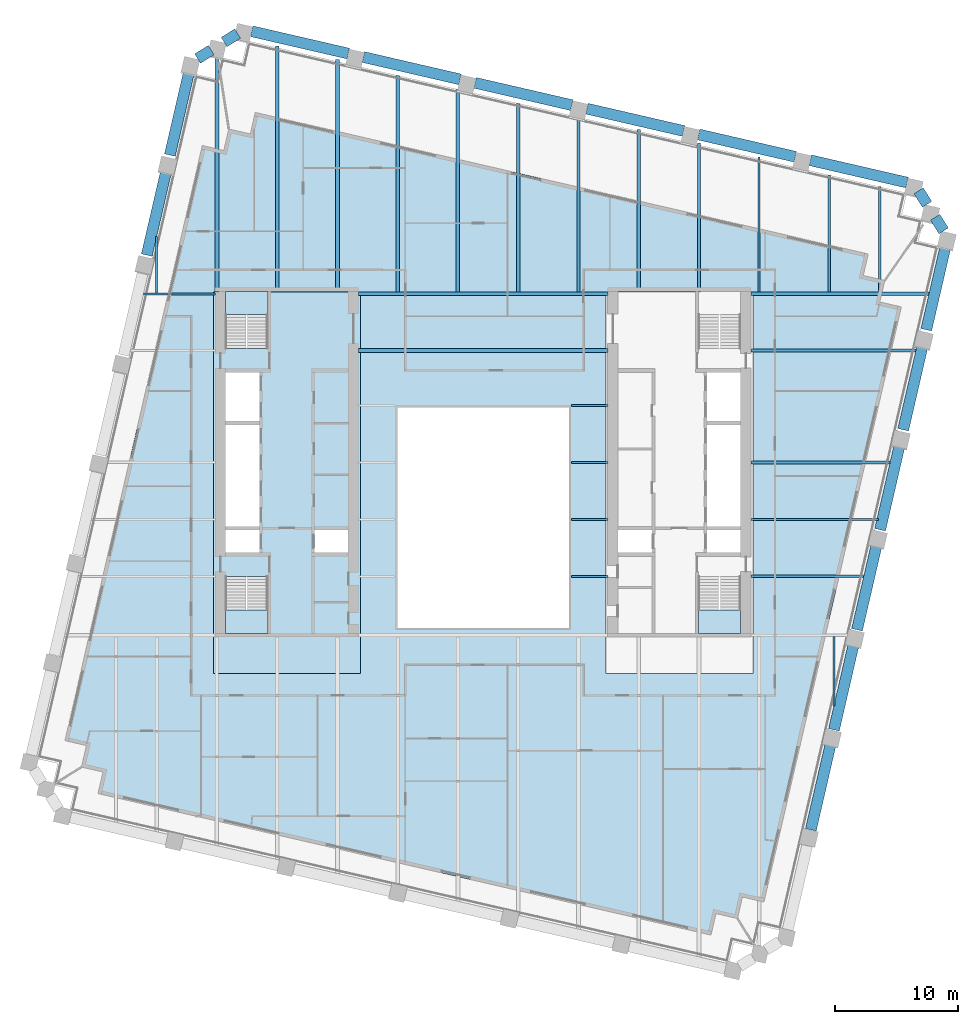
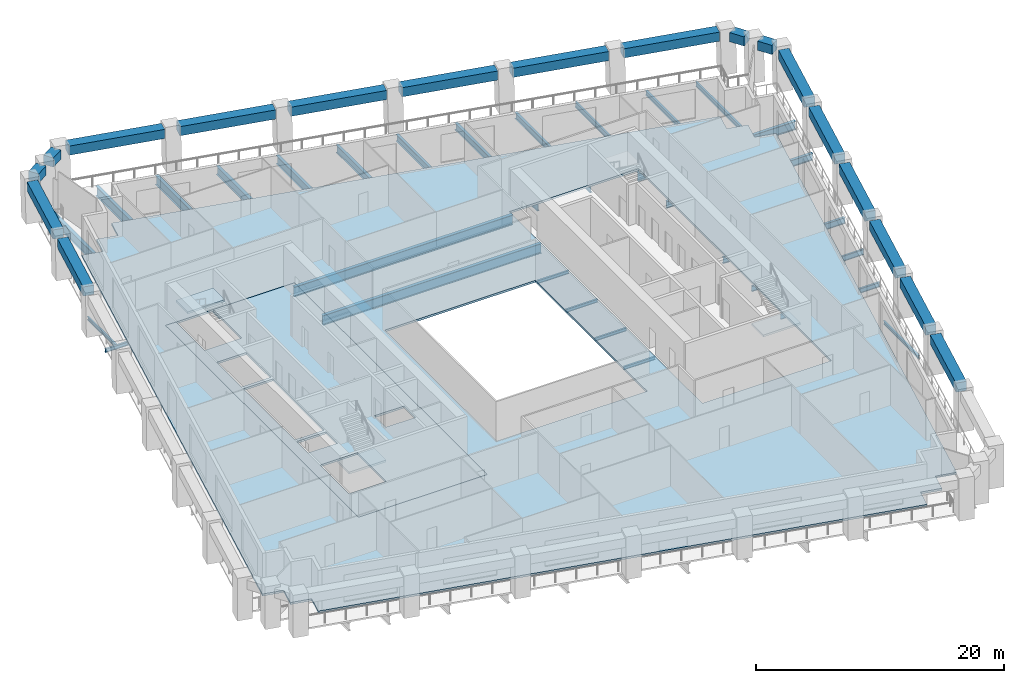
# One storey, part 2 of 12: 44 beams, 5 slabs, 3 elements without a shape of their own.
"""IFC4 building model written with IfcOpenShell, lengths in metres."""

from ifc_helpers import new_model, si_unit, direction, frame, origin, origin_2d, place, context, subcontext, project, spatial, polyline, rectangle, i_section, outline, extrude, material, layer, layer_set, material_profile, profile_set, type_object, element, aggregate, save


model = new_model("IFC4")

# Units and contexts
model_context = context("Model", 3, precision=1e-05, world=origin(), true_north=direction((0.0, 1.0)))
body_context = subcontext(model_context, "Body", "Model", "MODEL_VIEW")
ifc_project = project(units=[si_unit("LENGTHUNIT", "METRE"), si_unit("AREAUNIT", "SQUARE_METRE"), si_unit("VOLUMEUNIT", "CUBIC_METRE"), si_unit("PLANEANGLEUNIT", "RADIAN"), si_unit("MASSUNIT", "GRAM", prefix="KILO")], contexts=[model_context])

# Site, building, storey
site_placement = place(None, origin())
site = spatial("IfcSite", under=ifc_project, at=site_placement, CompositionType="ELEMENT")
building_placement = place(site_placement, origin())
building = spatial("IfcBuilding", under=site, at=building_placement, Name="Ogive Exchange Tower", CompositionType="ELEMENT")
storey_placement = place(building_placement, frame((0.0, 0.0, 139.199951171875)))
storey = spatial("IfcBuildingStorey", under=building, at=storey_placement, Name="L30", CompositionType="ELEMENT", Elevation=139.199951171875)

# Beams
ifc_material_1 = material(Name="Steel ASTM A992 Gr50", Category="steel")
ifc_material_profile_1 = material_profile(ifc_material_1, i_section(OverallWidth=0.300048828125, OverallDepth=0.969970703125, WebThickness=0.01611328125, FlangeThickness=0.02099609375, at=origin_2d()), Name="W1000x222")
ifc_profile_set_1 = profile_set([ifc_material_profile_1], Name="Steel ASTM A992 Gr50")
beam_type_1 = type_object("IfcBeamType", Name="Floor beam W1000x222", PredefinedType="JOIST", material=ifc_profile_set_1)
beam_1_placement = place(storey_placement, frame((-10.169921875, 20.62255859375, -0.68505859375), z_axis=(1.0, 0.0, 0.0), x_axis=(0.0, 1.0, 0.0)))
element("IfcBeam", 1, at=beam_1_placement, inside=storey, type_object=beam_type_1, Name="Floor beam", PredefinedType="JOIST", context=body_context, shape_type="SweptSolid", body=[
    extrude(i_section(OverallWidth=0.300048828125, OverallDepth=0.969970703125, WebThickness=0.01611328125, FlangeThickness=0.02099609375, at=origin_2d()), origin(), (0.0, 0.0, 1.0), 20.33984375),
])
beam_2_placement = place(storey_placement, frame((-16.78955078125, 25.39990234375, -0.68505859375), z_axis=(0.0, 1.0, 0.0), x_axis=(-1.0, 0.0, 0.0)))
element("IfcBeam", 2, at=beam_2_placement, inside=storey, type_object=beam_type_1, Name="Floor beam", PredefinedType="JOIST", context=body_context, shape_type="SweptSolid", body=[
    extrude(i_section(OverallWidth=0.300048828125, OverallDepth=0.969970703125, WebThickness=0.01611328125, FlangeThickness=0.02099609375, at=origin_2d()), origin(), (0.0, 0.0, 1.0), 20.07177734375),
])
ifc_material_profile_2 = material_profile(ifc_material_1, i_section(OverallWidth=0.1650390625, OverallDepth=0.31005859375, WebThickness=0.005859375, FlangeThickness=0.009765625, at=origin_2d()), Name="W310x38.7")
ifc_profile_set_2 = profile_set([ifc_material_profile_2], Name="Steel ASTM A992 Gr50")
beam_type_2 = type_object("IfcBeamType", Name="Floor beam W310x38.7", PredefinedType="JOIST", material=ifc_profile_set_2)
for number, where, z_axis, x_axis, name in (
    (3, (7.219970703125, 2.208740234375, -0.35498046875), (1.0, 0.0, 0.0), (0.0, 1.0, 0.0), "Floor beam"),
    (4, (7.219970703125, 6.857421875, -0.35498046875), (1.0, 0.0, 0.0), (0.0, 1.0, 0.0), "Floor beam"),
    (5, (7.219970703125, 11.50634765625, -0.35498046875), (1.0, 0.0, 0.0), (0.0, 1.0, 0.0), "Floor beam"),
):
    element("IfcBeam", number, at=place(storey_placement, frame(where, z_axis=z_axis, x_axis=x_axis)), inside=storey, type_object=beam_type_2, Name=name, PredefinedType="JOIST", context=body_context, shape_type="SweptSolid", body=[
        extrude(i_section(OverallWidth=0.1650390625, OverallDepth=0.31005859375, WebThickness=0.005859375, FlangeThickness=0.009765625, at=origin_2d()), origin(), (0.0, 0.0, 1.0), 2.949951171875),
    ])
beam_3_placement = place(storey_placement, frame((28.624755859375, -8.359619140625, -0.35498046875), z_axis=(0.0, 1.0, 0.0), x_axis=(-1.0, 0.0, 0.0)))
element("IfcBeam", 6, at=beam_3_placement, inside=storey, type_object=beam_type_2, Name="Floor beam", PredefinedType="JOIST", context=body_context, shape_type="SweptSolid", body=[
    extrude(i_section(OverallWidth=0.1650390625, OverallDepth=0.31005859375, WebThickness=0.005859375, FlangeThickness=0.009765625, at=origin_2d()), origin(), (0.0, 0.0, 1.0), 5.669189453125),
])
beam_4_placement = place(storey_placement, frame((-26.614990234375, 25.33056640625, -0.35498046875), z_axis=(0.0, 1.0, 0.0), x_axis=(-1.0, 0.0, 0.0)))
element("IfcBeam", 7, at=beam_4_placement, inside=storey, type_object=beam_type_2, Name="Floor beam", PredefinedType="JOIST", context=body_context, shape_type="SweptSolid", body=[
    extrude(i_section(OverallWidth=0.1650390625, OverallDepth=0.31005859375, WebThickness=0.005859375, FlangeThickness=0.009765625, at=origin_2d()), origin(), (0.0, 0.0, 1.0), 4.58447265625),
])
ifc_material_profile_3 = material_profile(ifc_material_1, i_section(OverallWidth=0.19091796875, OverallDepth=0.45703125, WebThickness=0.009033203125, FlangeThickness=0.014404296875, at=origin_2d()), Name="W460x74")
ifc_profile_set_3 = profile_set([ifc_material_profile_3], Name="Steel ASTM A992 Gr50")
beam_type_3 = type_object("IfcBeamType", Name="Floor beam W460x74", PredefinedType="JOIST", material=ifc_profile_set_3)
beam_5_placement = place(storey_placement, frame((21.830078125, 2.208740234375, -0.428466796875), z_axis=(1.0, 0.0, 0.0), x_axis=(0.0, 1.0, 0.0)))
element("IfcBeam", 8, at=beam_5_placement, inside=storey, type_object=beam_type_3, Name="Floor beam", PredefinedType="JOIST", context=body_context, shape_type="SweptSolid", body=[
    extrude(i_section(OverallWidth=0.19091796875, OverallDepth=0.45703125, WebThickness=0.009033203125, FlangeThickness=0.014404296875, at=origin_2d()), origin(), (0.0, 0.0, 1.0), 9.199951171875),
])
beam_6_placement = place(storey_placement, frame((28.224609375, 25.39111328125, -0.428466796875), z_axis=(0.0, 1.0, 0.0), x_axis=(-1.0, 0.0, 0.0)))
element("IfcBeam", 9, at=beam_6_placement, inside=storey, type_object=beam_type_3, Name="Floor beam", PredefinedType="JOIST", context=body_context, shape_type="SweptSolid", body=[
    extrude(i_section(OverallWidth=0.19091796875, OverallDepth=0.45703125, WebThickness=0.009033203125, FlangeThickness=0.014404296875, at=origin_2d()), origin(), (0.0, 0.0, 1.0), 9.538330078125),
])
beam_7_placement = place(storey_placement, frame((32.33740234375, 25.39111328125, -0.428466796875), z_axis=(0.0, 1.0, 0.0), x_axis=(-1.0, 0.0, 0.0)))
element("IfcBeam", 10, at=beam_7_placement, inside=storey, type_object=beam_type_3, Name="Floor beam", PredefinedType="JOIST", context=body_context, shape_type="SweptSolid", body=[
    extrude(i_section(OverallWidth=0.19091796875, OverallDepth=0.45703125, WebThickness=0.009033203125, FlangeThickness=0.014404296875, at=origin_2d()), origin(), (0.0, 0.0, 1.0), 8.5888671875),
])
ifc_material_profile_4 = material_profile(ifc_material_1, i_section(OverallWidth=0.1669921875, OverallDepth=0.535888671875, WebThickness=0.01025390625, FlangeThickness=0.0166015625, at=origin_2d()), Name="W530x85")
ifc_profile_set_4 = profile_set([ifc_material_profile_4], Name="Steel ASTM A992 Gr50")
beam_type_4 = type_object("IfcBeamType", Name="Floor beam W530x85", PredefinedType="JOIST", material=ifc_profile_set_4)
beam_8_placement = place(storey_placement, frame((21.830078125, 6.857421875, -0.468017578125), z_axis=(1.0, 0.0, 0.0), x_axis=(0.0, 1.0, 0.0)))
element("IfcBeam", 11, at=beam_8_placement, inside=storey, type_object=beam_type_4, Name="Floor beam", PredefinedType="JOIST", context=body_context, shape_type="SweptSolid", body=[
    extrude(i_section(OverallWidth=0.1669921875, OverallDepth=0.535888671875, WebThickness=0.01025390625, FlangeThickness=0.0166015625, at=origin_2d()), origin(), (0.0, 0.0, 1.0), 10.423095703125),
])
beam_9_placement = place(storey_placement, frame((22.511962890625, 25.39111328125, -0.468017578125), z_axis=(0.0, 1.0, 0.0), x_axis=(-1.0, 0.0, 0.0)))
element("IfcBeam", 12, at=beam_9_placement, inside=storey, type_object=beam_type_4, Name="Floor beam", PredefinedType="JOIST", context=body_context, shape_type="SweptSolid", body=[
    extrude(i_section(OverallWidth=0.1669921875, OverallDepth=0.535888671875, WebThickness=0.01025390625, FlangeThickness=0.0166015625, at=origin_2d()), origin(), (0.0, 0.0, 1.0), 11.00732421875),
])
ifc_material_profile_5 = material_profile(ifc_material_1, i_section(OverallWidth=0.22802734375, OverallDepth=0.60205078125, WebThickness=0.010498046875, FlangeThickness=0.014892578125, at=origin_2d()), Name="W610x101")
ifc_profile_set_5 = profile_set([ifc_material_profile_5], Name="Steel ASTM A992 Gr50")
beam_type_5 = type_object("IfcBeamType", Name="Floor beam W610x101", PredefinedType="JOIST", material=ifc_profile_set_5)
beam_10_placement = place(storey_placement, frame((21.830078125, 11.50634765625, -0.5009765625), z_axis=(1.0, 0.0, 0.0), x_axis=(0.0, 1.0, 0.0)))
element("IfcBeam", 13, at=beam_10_placement, inside=storey, type_object=beam_type_5, Name="Floor beam", PredefinedType="JOIST", context=body_context, shape_type="SweptSolid", body=[
    extrude(i_section(OverallWidth=0.22802734375, OverallDepth=0.60205078125, WebThickness=0.010498046875, FlangeThickness=0.014892578125, at=origin_2d()), origin(), (0.0, 0.0, 1.0), 11.346435546875),
])
beam_11_placement = place(storey_placement, frame((17.599365234375, 25.39990234375, -0.5009765625), z_axis=(0.0, 1.0, 0.0), x_axis=(-1.0, 0.0, 0.0)))
element("IfcBeam", 14, at=beam_11_placement, inside=storey, type_object=beam_type_5, Name="Floor beam", PredefinedType="JOIST", context=body_context, shape_type="SweptSolid", body=[
    extrude(i_section(OverallWidth=0.22802734375, OverallDepth=0.60205078125, WebThickness=0.010498046875, FlangeThickness=0.014892578125, at=origin_2d()), origin(), (0.0, 0.0, 1.0), 12.132568359375),
])
ifc_material_profile_6 = material_profile(ifc_material_1, i_section(OverallWidth=0.25390625, OverallDepth=0.677978515625, WebThickness=0.01171875, FlangeThickness=0.016357421875, at=origin_2d()), Name="W690x125")
ifc_profile_set_6 = profile_set([ifc_material_profile_6], Name="Steel ASTM A992 Gr50")
beam_type_6 = type_object("IfcBeamType", Name="Floor beam W690x125", PredefinedType="JOIST", material=ifc_profile_set_6)
beam_12_placement = place(storey_placement, frame((21.830078125, 20.62255859375, -0.5390625), z_axis=(1.0, 0.0, 0.0), x_axis=(0.0, 1.0, 0.0)))
element("IfcBeam", 15, at=beam_12_placement, inside=storey, type_object=beam_type_6, Name="Floor beam", PredefinedType="JOIST", context=body_context, shape_type="SweptSolid", body=[
    extrude(i_section(OverallWidth=0.25390625, OverallDepth=0.677978515625, WebThickness=0.01171875, FlangeThickness=0.016357421875, at=origin_2d()), origin(), (0.0, 0.0, 1.0), 13.60107421875),
])
beam_13_placement = place(storey_placement, frame((12.6865234375, 25.39990234375, -0.5390625), z_axis=(0.0, 1.0, 0.0), x_axis=(-1.0, 0.0, 0.0)))
element("IfcBeam", 16, at=beam_13_placement, inside=storey, type_object=beam_type_6, Name="Floor beam", PredefinedType="JOIST", context=body_context, shape_type="SweptSolid", body=[
    extrude(i_section(OverallWidth=0.25390625, OverallDepth=0.677978515625, WebThickness=0.01171875, FlangeThickness=0.016357421875, at=origin_2d()), origin(), (0.0, 0.0, 1.0), 13.266845703125),
])
ifc_material_profile_7 = material_profile(ifc_material_1, i_section(OverallWidth=0.25390625, OverallDepth=0.68310546875, WebThickness=0.012451171875, FlangeThickness=0.018798828125, at=origin_2d()), Name="W690x140")
ifc_profile_set_7 = profile_set([ifc_material_profile_7], Name="Steel ASTM A992 Gr50")
beam_type_7 = type_object("IfcBeamType", Name="Floor beam W690x140", PredefinedType="JOIST", material=ifc_profile_set_7)
beam_14_placement = place(storey_placement, frame((7.77392578125, 25.39501953125, -0.54150390625), z_axis=(0.0, 1.0, 0.0), x_axis=(-1.0, 0.0, 0.0)))
element("IfcBeam", 17, at=beam_14_placement, inside=storey, type_object=beam_type_7, Name="Floor beam", PredefinedType="JOIST", context=body_context, shape_type="SweptSolid", body=[
    extrude(i_section(OverallWidth=0.25390625, OverallDepth=0.68310546875, WebThickness=0.012451171875, FlangeThickness=0.018798828125, at=origin_2d()), origin(), (0.0, 0.0, 1.0), 14.255859375),
])
ifc_material_profile_8 = material_profile(ifc_material_1, i_section(OverallWidth=0.26708984375, OverallDepth=0.75390625, WebThickness=0.01318359375, FlangeThickness=0.01708984375, at=origin_2d()), Name="W760x147")
ifc_profile_set_8 = profile_set([ifc_material_profile_8], Name="Steel ASTM A992 Gr50")
beam_type_8 = type_object("IfcBeamType", Name="Floor beam W760x147", PredefinedType="JOIST", material=ifc_profile_set_8)
beam_15_placement = place(storey_placement, frame((2.861328125, 25.39501953125, -0.576904296875), z_axis=(0.0, 1.0, 0.0), x_axis=(-1.0, 0.0, 0.0)))
element("IfcBeam", 18, at=beam_15_placement, inside=storey, type_object=beam_type_8, Name="Floor beam", PredefinedType="JOIST", context=body_context, shape_type="SweptSolid", body=[
    extrude(i_section(OverallWidth=0.26708984375, OverallDepth=0.75390625, WebThickness=0.01318359375, FlangeThickness=0.01708984375, at=origin_2d()), origin(), (0.0, 0.0, 1.0), 15.39013671875),
])
ifc_material_profile_9 = material_profile(ifc_material_1, i_section(OverallWidth=0.2919921875, OverallDepth=0.8359375, WebThickness=0.013916015625, FlangeThickness=0.018798828125, at=origin_2d()), Name="W840x176")
ifc_profile_set_9 = profile_set([ifc_material_profile_9], Name="Steel ASTM A992 Gr50")
beam_type_9 = type_object("IfcBeamType", Name="Floor beam W840x176", PredefinedType="JOIST", material=ifc_profile_set_9)
beam_16_placement = place(storey_placement, frame((-2.051513671875, 25.39501953125, -0.617919921875), z_axis=(0.0, 1.0, 0.0), x_axis=(-1.0, 0.0, 0.0)))
element("IfcBeam", 19, at=beam_16_placement, inside=storey, type_object=beam_type_9, Name="Floor beam", PredefinedType="JOIST", context=body_context, shape_type="SweptSolid", body=[
    extrude(i_section(OverallWidth=0.2919921875, OverallDepth=0.8359375, WebThickness=0.013916015625, FlangeThickness=0.018798828125, at=origin_2d()), origin(), (0.0, 0.0, 1.0), 16.524169921875),
])
ifc_material_profile_10 = material_profile(ifc_material_1, i_section(OverallWidth=0.2919921875, OverallDepth=0.845947265625, WebThickness=0.015380859375, FlangeThickness=0.0244140625, at=origin_2d()), Name="W840x210")
ifc_profile_set_10 = profile_set([ifc_material_profile_10], Name="Steel ASTM A992 Gr50")
beam_type_10 = type_object("IfcBeamType", Name="Floor beam W840x210", PredefinedType="JOIST", material=ifc_profile_set_10)
beam_17_placement = place(storey_placement, frame((-6.964111328125, 25.39501953125, -0.623046875), z_axis=(0.0, 1.0, 0.0), x_axis=(-1.0, 0.0, 0.0)))
element("IfcBeam", 20, at=beam_17_placement, inside=storey, type_object=beam_type_10, Name="Floor beam", PredefinedType="JOIST", context=body_context, shape_type="SweptSolid", body=[
    extrude(i_section(OverallWidth=0.2919921875, OverallDepth=0.845947265625, WebThickness=0.015380859375, FlangeThickness=0.0244140625, at=origin_2d()), origin(), (0.0, 0.0, 1.0), 17.658447265625),
])
ifc_material_profile_11 = material_profile(ifc_material_1, i_section(OverallWidth=0.304931640625, OverallDepth=0.904052734375, WebThickness=0.01513671875, FlangeThickness=0.02001953125, at=origin_2d()), Name="W920x201")
ifc_profile_set_11 = profile_set([ifc_material_profile_11], Name="Steel ASTM A992 Gr50")
beam_type_11 = type_object("IfcBeamType", Name="Floor beam W920x201", PredefinedType="JOIST", material=ifc_profile_set_11)
beam_18_placement = place(storey_placement, frame((-11.876708984375, 25.39990234375, -0.65185546875), z_axis=(0.0, 1.0, 0.0), x_axis=(-1.0, 0.0, 0.0)))
element("IfcBeam", 21, at=beam_18_placement, inside=storey, type_object=beam_type_11, Name="Floor beam", PredefinedType="JOIST", context=body_context, shape_type="SweptSolid", body=[
    extrude(i_section(OverallWidth=0.304931640625, OverallDepth=0.904052734375, WebThickness=0.01513671875, FlangeThickness=0.02001953125, at=origin_2d()), origin(), (0.0, 0.0, 1.0), 18.937744140625),
])
ifc_material_profile_12 = material_profile(ifc_material_1, i_section(OverallWidth=0.304931640625, OverallDepth=0.9189453125, WebThickness=0.017333984375, FlangeThickness=0.02783203125, at=origin_2d()), Name="W920x253")
ifc_profile_set_12 = profile_set([ifc_material_profile_12], Name="Steel ASTM A992 Gr50")
beam_type_12 = type_object("IfcBeamType", Name="Floor beam W920x253", PredefinedType="JOIST", material=ifc_profile_set_12)
beam_19_placement = place(storey_placement, frame((-21.7021484375, 25.39990234375, -0.659423828125), z_axis=(0.0, 1.0, 0.0), x_axis=(-1.0, 0.0, 0.0)))
element("IfcBeam", 22, at=beam_19_placement, inside=storey, type_object=beam_type_12, Name="Floor beam", PredefinedType="JOIST", context=body_context, shape_type="SweptSolid", body=[
    extrude(i_section(OverallWidth=0.304931640625, OverallDepth=0.9189453125, WebThickness=0.017333984375, FlangeThickness=0.02783203125, at=origin_2d()), origin(), (0.0, 0.0, 1.0), 19.153564453125),
])
ifc_material_profile_13 = material_profile(ifc_material_1, i_section(OverallWidth=0.300048828125, OverallDepth=0.97998046875, WebThickness=0.0166015625, FlangeThickness=0.026123046875, at=origin_2d()), Name="W1000x249")
ifc_profile_set_13 = profile_set([ifc_material_profile_13], Name="Steel ASTM A992 Gr50")
beam_type_13 = type_object("IfcBeamType", Name="Girder W1000x249", PredefinedType="BEAM", material=ifc_profile_set_13)
beam_20_placement = place(storey_placement, frame((-10.169921875, 25.2451171875, -0.68994140625), z_axis=(1.0, 0.0, 0.0), x_axis=(0.0, 1.0, 0.0)))
element("IfcBeam", 23, at=beam_20_placement, inside=storey, type_object=beam_type_13, Name="Header girder", PredefinedType="BEAM", context=body_context, shape_type="SweptSolid", body=[
    extrude(i_section(OverallWidth=0.300048828125, OverallDepth=0.97998046875, WebThickness=0.0166015625, FlangeThickness=0.026123046875, at=origin_2d()), origin(), (0.0, 0.0, 1.0), 20.33984375),
])
ifc_material_profile_14 = material_profile(ifc_material_1, i_section(OverallWidth=0.1650390625, OverallDepth=0.31005859375, WebThickness=0.005859375, FlangeThickness=0.009765625, at=origin_2d()), Name="W310x38.7")
ifc_profile_set_14 = profile_set([ifc_material_profile_14], Name="Steel ASTM A992 Gr50")
beam_type_14 = type_object("IfcBeamType", Name="Girder W310x38.7", PredefinedType="BEAM", material=ifc_profile_set_14)
beam_21_placement = place(storey_placement, frame((7.219970703125, 16.155029296875, -0.35498046875), z_axis=(1.0, 0.0, 0.0), x_axis=(0.0, 1.0, 0.0)))
element("IfcBeam", 24, at=beam_21_placement, inside=storey, type_object=beam_type_14, Name="Trimmer girder", PredefinedType="BEAM", context=body_context, shape_type="SweptSolid", body=[
    extrude(i_section(OverallWidth=0.1650390625, OverallDepth=0.31005859375, WebThickness=0.005859375, FlangeThickness=0.009765625, at=origin_2d()), origin(), (0.0, 0.0, 1.0), 2.949951171875),
])
ifc_material_profile_15 = material_profile(ifc_material_1, i_section(OverallWidth=0.1708984375, OverallDepth=0.35595703125, WebThickness=0.00732421875, FlangeThickness=0.01171875, at=origin_2d()), Name="W360x51")
ifc_profile_set_15 = profile_set([ifc_material_profile_15], Name="Steel ASTM A992 Gr50")
beam_type_15 = type_object("IfcBeamType", Name="Girder W360x51", PredefinedType="BEAM", material=ifc_profile_set_15)
beam_22_placement = place(storey_placement, frame((-27.693115234375, 25.2451171875, -0.3779296875), z_axis=(1.0, 0.0, 0.0), x_axis=(0.0, 1.0, 0.0)))
element("IfcBeam", 25, at=beam_22_placement, inside=storey, type_object=beam_type_15, Name="Header girder", PredefinedType="BEAM", context=body_context, shape_type="SweptSolid", body=[
    extrude(i_section(OverallWidth=0.1708984375, OverallDepth=0.35595703125, WebThickness=0.00732421875, FlangeThickness=0.01171875, at=origin_2d()), origin(), (0.0, 0.0, 1.0), 5.863037109375),
])
ifc_material_profile_16 = material_profile(ifc_material_1, i_section(OverallWidth=0.2919921875, OverallDepth=0.8359375, WebThickness=0.013916015625, FlangeThickness=0.018798828125, at=origin_2d()), Name="W840x176")
ifc_profile_set_16 = profile_set([ifc_material_profile_16], Name="Steel ASTM A992 Gr50")
beam_type_16 = type_object("IfcBeamType", Name="Girder W840x176", PredefinedType="BEAM", material=ifc_profile_set_16)
beam_23_placement = place(storey_placement, frame((21.830078125, 25.2451171875, -0.617919921875), z_axis=(1.0, 0.0, 0.0), x_axis=(0.0, 1.0, 0.0)))
element("IfcBeam", 26, at=beam_23_placement, inside=storey, type_object=beam_type_16, Name="Header girder", PredefinedType="BEAM", context=body_context, shape_type="SweptSolid", body=[
    extrude(i_section(OverallWidth=0.2919921875, OverallDepth=0.8359375, WebThickness=0.013916015625, FlangeThickness=0.018798828125, at=origin_2d()), origin(), (0.0, 0.0, 1.0), 14.668212890625),
])
ifc_material_2 = material(Name="Precast concrete C70/85 (limestone faced)", Category="masonry")
ifc_material_profile_17 = material_profile(ifc_material_2, rectangle(XDim=0.89990234375, YDim=0.89990234375, at=origin_2d()), Name="900 x 900")
ifc_profile_set_17 = profile_set([ifc_material_profile_17], Name="Precast concrete C70/85 (limestone faced)")
beam_type_17 = type_object("IfcBeamType", Name="Precast spandrel 900 x 900 C70/85", PredefinedType="SPANDREL", material=ifc_profile_set_17)
for number, where, z_axis, x_axis, name in (
    (27, (26.721923828125, -18.451904296875, 3.5), (0.224944783816, 0.97437151243, 0.0), (-0.97437151243, 0.224944783816, 0.0), "Spandrel 10"),
    (28, (28.6044921875, -10.297607421875, 3.5), (0.224944783816, 0.97437151243, 0.0), (-0.97437151243, 0.224944783816, 0.0), "Spandrel 11"),
):
    element("IfcBeam", number, at=place(storey_placement, frame(where, z_axis=z_axis, x_axis=x_axis)), inside=storey, type_object=beam_type_17, Name=name, PredefinedType="SPANDREL", context=body_context, shape_type="SweptSolid", body=[
        extrude(rectangle(XDim=0.89990234375, YDim=0.89990234375, at=origin_2d()), origin(), (0.0, 0.0, 1.0), 7.10888671875),
    ])
for number, where, z_axis, x_axis, name in (
    (29, (30.487060546875, -2.14306640625, 3.5), (0.22495231129, 0.974369774596, 0.0), (-0.974369774596, 0.22495231129, 0.0), "Spandrel 12"),
    (30, (32.36962890625, 6.01123046875, 3.5), (0.22495231129, 0.974369774596, 0.0), (-0.974369774596, 0.22495231129, 0.0), "Spandrel 13"),
):
    element("IfcBeam", number, at=place(storey_placement, frame(where, z_axis=z_axis, x_axis=x_axis)), inside=storey, type_object=beam_type_17, Name=name, PredefinedType="SPANDREL", context=body_context, shape_type="SweptSolid", body=[
        extrude(rectangle(XDim=0.89990234375, YDim=0.89990234375, at=origin_2d()), origin(), (0.0, 0.0, 1.0), 7.108642578125),
    ])
for number, where, z_axis, x_axis, name in (
    (31, (34.252197265625, 14.16552734375, 3.5), (0.224944783816, 0.97437151243, 0.0), (-0.97437151243, 0.224944783816, 0.0), "Spandrel 14"),
    (32, (36.134765625, 22.31982421875, 3.5), (0.224944783816, 0.97437151243, 0.0), (-0.97437151243, 0.224944783816, 0.0), "Spandrel 15"),
):
    element("IfcBeam", number, at=place(storey_placement, frame(where, z_axis=z_axis, x_axis=x_axis)), inside=storey, type_object=beam_type_17, Name=name, PredefinedType="SPANDREL", context=body_context, shape_type="SweptSolid", body=[
        extrude(rectangle(XDim=0.89990234375, YDim=0.89990234375, at=origin_2d()), origin(), (0.0, 0.0, 1.0), 7.10888671875),
    ])
for number, where, z_axis, x_axis, name in (
    (33, (37.547607421875, 30.385498046875, 3.5), (-0.529931776808, 0.848040277303, 0.0), (-0.848040277303, -0.529931776808, 0.0), "Spandrel 16"),
    (34, (36.198486328125, 32.544189453125, 3.5), (-0.529847842077, 0.848092721491, 0.0), (-0.848092721491, -0.529847842077, 0.0), "Spandrel 17"),
):
    element("IfcBeam", number, at=place(storey_placement, frame(where, z_axis=z_axis, x_axis=x_axis)), inside=storey, type_object=beam_type_17, Name=name, PredefinedType="SPANDREL", context=body_context, shape_type="SweptSolid", body=[
        extrude(rectangle(XDim=0.89990234375, YDim=0.89990234375, at=origin_2d()), origin(), (0.0, 0.0, 1.0), 1.30712890625),
    ])
beam_24_placement = place(storey_placement, frame((34.56396484375, 34.319580078125, 3.5), z_axis=(-0.974370337884, 0.224949871421, 0.0), x_axis=(-0.224949871421, -0.974370337884, 0.0)))
element("IfcBeam", 35, at=beam_24_placement, inside=storey, type_object=beam_type_17, Name="Spandrel 18", PredefinedType="SPANDREL", context=body_context, shape_type="SweptSolid", body=[
    extrude(rectangle(XDim=0.89990234375, YDim=0.89990234375, at=origin_2d()), origin(), (0.0, 0.0, 1.0), 8.08984375),
])
beam_25_placement = place(storey_placement, frame((25.45361328125, 36.4228515625, 3.5), z_axis=(-0.974365250281, 0.224971907236, 0.0), x_axis=(-0.224971907236, -0.974365250281, 0.0)))
element("IfcBeam", 36, at=beam_25_placement, inside=storey, type_object=beam_type_17, Name="Spandrel 19", PredefinedType="SPANDREL", context=body_context, shape_type="SweptSolid", body=[
    extrude(rectangle(XDim=0.89990234375, YDim=0.89990234375, at=origin_2d()), origin(), (0.0, 0.0, 1.0), 8.090087890625),
])
beam_26_placement = place(storey_placement, frame((16.34326171875, 38.526123046875, 3.5), z_axis=(-0.974363722868, 0.224978522439, 0.0), x_axis=(-0.224978522439, -0.974363722868, 0.0)))
element("IfcBeam", 37, at=beam_26_placement, inside=storey, type_object=beam_type_17, Name="Spandrel 20", PredefinedType="SPANDREL", context=body_context, shape_type="SweptSolid", body=[
    extrude(rectangle(XDim=0.89990234375, YDim=0.89990234375, at=origin_2d()), origin(), (0.0, 0.0, 1.0), 8.08984375),
])
for number, where, z_axis, x_axis, name in (
    (38, (7.23291015625, 40.62939453125, 3.5), (-0.974365250281, 0.224971907236, 0.0), (-0.224971907236, -0.974365250281, 0.0), "Spandrel 21"),
    (39, (-1.87744140625, 42.73291015625, 3.5), (-0.974371864918, 0.224943256972, 0.0), (-0.224943256972, -0.974371864918, 0.0), "Spandrel 22"),
    (40, (-10.98779296875, 44.836181640625, 3.5), (-0.974371864918, 0.224943256972, 0.0), (-0.224943256972, -0.974371864918, 0.0), "Spandrel 23"),
):
    element("IfcBeam", number, at=place(storey_placement, frame(where, z_axis=z_axis, x_axis=x_axis)), inside=storey, type_object=beam_type_17, Name=name, PredefinedType="SPANDREL", context=body_context, shape_type="SweptSolid", body=[
        extrude(rectangle(XDim=0.89990234375, YDim=0.89990234375, at=origin_2d()), origin(), (0.0, 0.0, 1.0), 8.090087890625),
    ])
for number, where, z_axis, x_axis, name in (
    (41, (-20.009521484375, 46.469482421875, 3.5), (-0.848040277303, -0.529931776808, 0.0), (0.529931776808, -0.848040277303, 0.0), "Spandrel 24"),
    (42, (-22.168212890625, 45.12060546875, 3.5), (-0.848092721491, -0.529847842077, 0.0), (0.529847842077, -0.848092721491, 0.0), "Spandrel 25"),
):
    element("IfcBeam", number, at=place(storey_placement, frame(where, z_axis=z_axis, x_axis=x_axis)), inside=storey, type_object=beam_type_17, Name=name, PredefinedType="SPANDREL", context=body_context, shape_type="SweptSolid", body=[
        extrude(rectangle(XDim=0.89990234375, YDim=0.89990234375, at=origin_2d()), origin(), (0.0, 0.0, 1.0), 1.30712890625),
    ])
beam_27_placement = place(storey_placement, frame((-23.943603515625, 43.48583984375, 3.5), z_axis=(-0.22495231129, -0.974369774596, 0.0), x_axis=(0.974369774596, -0.22495231129, 0.0)))
element("IfcBeam", 43, at=beam_27_placement, inside=storey, type_object=beam_type_17, Name="Spandrel 26", PredefinedType="SPANDREL", context=body_context, shape_type="SweptSolid", body=[
    extrude(rectangle(XDim=0.89990234375, YDim=0.89990234375, at=origin_2d()), origin(), (0.0, 0.0, 1.0), 7.108642578125),
])
beam_28_placement = place(storey_placement, frame((-25.826171875, 35.33154296875, 3.5), z_axis=(-0.224944783816, -0.97437151243, 0.0), x_axis=(0.97437151243, -0.224944783816, 0.0)))
element("IfcBeam", 44, at=beam_28_placement, inside=storey, type_object=beam_type_17, Name="Spandrel 27", PredefinedType="SPANDREL", context=body_context, shape_type="SweptSolid", body=[
    extrude(rectangle(XDim=0.89990234375, YDim=0.89990234375, at=origin_2d()), origin(), (0.0, 0.0, 1.0), 7.10888671875),
])

# Slabs
ifc_material_3 = material(Name="Concrete C50/60", Category="concrete")
ifc_layer_1 = layer(ifc_material_3, 0.199951171875)
ifc_layer_set_1 = layer_set([ifc_layer_1], Name="Composite floor slab 200")
slab_type_1 = type_object("IfcSlabType", Name="Composite floor slab 200", PredefinedType="FLOOR", material=ifc_layer_set_1)
slab_1_placement = place(storey_placement, frame((0.0, 0.0, -0.199951171875)))
element("IfcSlab", 45, at=slab_1_placement, inside=storey, type_object=slab_type_1, Name="Composite floor slab", PredefinedType="FLOOR", context=body_context, shape_type="SweptSolid", body=[
    extrude(outline(polyline([(-30.998779296875, -13.74560546875), (-32.752685546875, -13.3408203125), (-32.34765625, -11.5869140625), (-34.1015625, -11.181884765625), (-22.89892578125, 37.341552734375), (-21.145263671875, 36.936767578125), (-20.740234375, 38.690673828125), (-18.986328125, 38.28564453125), (-18.58154296875, 40.03955078125), (31.40380859375, 28.49951171875), (30.998779296875, 26.74560546875), (32.752685546875, 26.3408203125), (32.34765625, 24.5869140625), (34.1015625, 24.181884765625), (22.89892578125, -24.341552734375), (21.145263671875, -23.936767578125), (20.740234375, -25.690673828125), (18.986328125, -25.28564453125), (18.58154296875, -27.03955078125), (-31.40380859375, -15.49951171875), (-30.998779296875, -13.74560546875)]), holes=[polyline([(7.0, -2.0), (7.0, 16.0), (-7.0, 16.0), (-7.0, -2.0), (7.0, -2.0)]), polyline([(-22.0, -5.699951171875), (-10.0, -5.699951171875), (-10.0, 25.39990234375), (-22.0, 25.39990234375), (-22.0, -5.699951171875)]), polyline([(10.0, -5.699951171875), (22.0, -5.699951171875), (22.0, 25.39990234375), (10.0, 25.39990234375), (10.0, -5.699951171875)])]), origin(), (0.0, 0.0, 1.0), 0.199951171875),
])
ifc_material_4 = material(Name="Concrete C70/85", Category="concrete")
ifc_layer_2 = layer(ifc_material_4, 0.199951171875)
ifc_layer_set_2 = layer_set([ifc_layer_2], Name="Core floor slab 200")
slab_type_2 = type_object("IfcSlabType", Name="Core floor slab 200", PredefinedType="FLOOR", material=ifc_layer_set_2)
slab_2_placement = place(storey_placement, frame((0.0, 0.0, -0.199951171875)))
element("IfcSlab", 46, at=slab_2_placement, inside=storey, type_object=slab_type_2, Name="Core floor slab", PredefinedType="FLOOR", context=body_context, shape_type="SweptSolid", body=[
    extrude(outline(polyline([(-10.0, 25.39990234375), (-10.0, -5.699951171875), (-22.0, -5.699951171875), (-22.0, 25.39990234375), (-21.0, 25.39990234375), (-21.0, 20.803955078125), (-17.550048828125, 20.803955078125), (-17.550048828125, 25.39990234375), (-10.0, 25.39990234375)]), holes=[polyline([(-17.550048828125, 2.196044921875), (-21.0, 2.196044921875), (-21.0, -2.449951171875), (-17.550048828125, -2.449951171875), (-17.550048828125, 2.196044921875)]), polyline([(-18.25, 5.992919921875), (-21.0, 5.992919921875), (-21.0, 4.14990234375), (-18.25, 4.14990234375), (-18.25, 5.992919921875)]), polyline([(-11.0, 5.992919921875), (-13.75, 5.992919921875), (-13.75, 4.14990234375), (-11.0, 4.14990234375), (-11.0, 5.992919921875)]), polyline([(-21.0, 14.564208984375), (-21.0, 6.29296875), (-18.25, 6.29296875), (-18.25, 14.564208984375), (-21.0, 14.564208984375)]), polyline([(-18.25, 18.85009765625), (-21.0, 18.85009765625), (-21.0, 14.8642578125), (-18.25, 14.8642578125), (-18.25, 18.85009765625)])]), origin(), (0.0, 0.0, 1.0), 0.199951171875),
])

# Stair, slab
ifc_material_5 = material(Name="Concrete C40/50", Category="concrete")
stair_type = type_object("IfcStairType", Name="Exit stair 1650 wide", PredefinedType="HALF_TURN_STAIR", material=ifc_material_5)
stair_1_placement = place(storey_placement, origin())
stair_1 = element("IfcStair", 47, at=stair_1_placement, inside=storey, type_object=stair_type, Name="L30 exit stair ST1", PredefinedType="HALF_TURN_STAIR")
ifc_layer_3 = layer(ifc_material_5, 0.199951171875)
ifc_layer_set_3 = layer_set([ifc_layer_3], Name="Stair landing 200 slab")
slab_type_3 = type_object("IfcSlabType", Name="Stair landing 200 slab", PredefinedType="LANDING", material=ifc_layer_set_3)
slab_3_placement = place(storey_placement, frame((0.0, 0.0, 1.900146484375)))
slab_3 = element("IfcSlab", 48, at=slab_3_placement, type_object=slab_type_3, Name="ST1 landing 1", PredefinedType="LANDING", context=body_context, shape_type="SweptSolid", body=[
    extrude(outline(polyline([(-21.0, -0.550048828125), (-21.0, -2.449951171875), (-17.550048828125, -2.449951171875), (-17.550048828125, -0.550048828125), (-21.0, -0.550048828125)])), origin(), (0.0, 0.0, 1.0), 0.199951171875),
])
aggregate(stair_1, [slab_3])

stair_2_placement = place(storey_placement, origin())
stair_2 = element("IfcStair", 49, at=stair_2_placement, inside=storey, type_object=stair_type, Name="L30 exit stair ST2", PredefinedType="HALF_TURN_STAIR")
slab_4_placement = place(storey_placement, frame((0.0, 0.0, 1.900146484375)))
slab_4 = element("IfcSlab", 50, at=slab_4_placement, type_object=slab_type_3, Name="ST2 landing 1", PredefinedType="LANDING", context=body_context, shape_type="SweptSolid", body=[
    extrude(outline(polyline([(-17.550048828125, 23.550048828125), (-17.550048828125, 25.449951171875), (-21.0, 25.449951171875), (-21.0, 23.550048828125), (-17.550048828125, 23.550048828125)])), origin(), (0.0, 0.0, 1.0), 0.199951171875),
])
aggregate(stair_2, [slab_4])

stair_3_placement = place(storey_placement, origin())
stair_3 = element("IfcStair", 51, at=stair_3_placement, inside=storey, type_object=stair_type, Name="L30 exit stair ST3", PredefinedType="HALF_TURN_STAIR")
slab_5_placement = place(storey_placement, frame((0.0, 0.0, 1.900146484375)))
slab_5 = element("IfcSlab", 52, at=slab_5_placement, type_object=slab_type_3, Name="ST3 landing 1", PredefinedType="LANDING", context=body_context, shape_type="SweptSolid", body=[
    extrude(outline(polyline([(17.550048828125, -0.550048828125), (17.550048828125, -2.449951171875), (21.0, -2.449951171875), (21.0, -0.550048828125), (17.550048828125, -0.550048828125)])), origin(), (0.0, 0.0, 1.0), 0.199951171875),
])
aggregate(stair_3, [slab_5])

save(model, "model.ifc")
